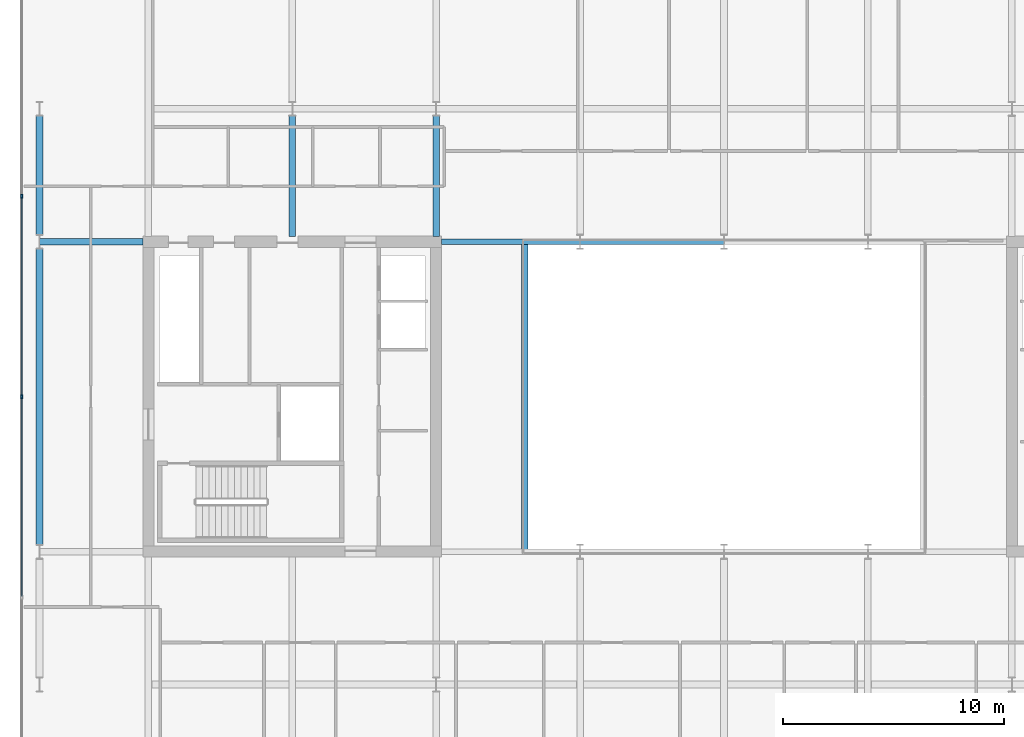
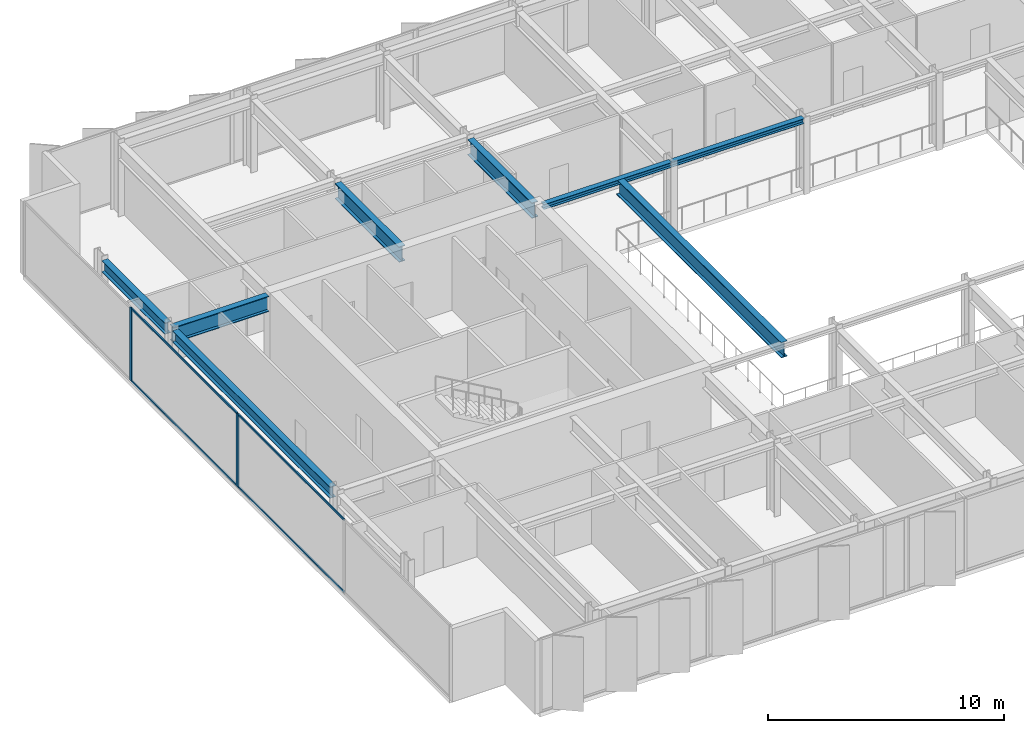
# One storey, part 5 of 20: 8 beams, 6 members, 1 element without a shape of its own.
"""IFC4 building model written with IfcOpenShell, lengths in metres."""

from ifc_helpers import new_model, si_unit, direction, frame, origin, origin_2d, place, context, subcontext, project, spatial, rectangle, i_section, extrude, material, layer, layer_set, material_profile, profile_set, type_object, element, aggregate, save


model = new_model("IFC4")

# Units and contexts
model_context = context("Model", 3, precision=1e-05, world=origin(), true_north=direction((0.0, 1.0)))
body_context = subcontext(model_context, "Body", "Model", "MODEL_VIEW")
ifc_project = project(units=[si_unit("LENGTHUNIT", "METRE"), si_unit("AREAUNIT", "SQUARE_METRE"), si_unit("VOLUMEUNIT", "CUBIC_METRE"), si_unit("PLANEANGLEUNIT", "RADIAN"), si_unit("MASSUNIT", "GRAM", prefix="KILO")], contexts=[model_context])

# Site, building, storey
site_placement = place(None, origin())
site = spatial("IfcSite", under=ifc_project, at=site_placement, CompositionType="ELEMENT")
building_placement = place(site_placement, origin())
building = spatial("IfcBuilding", under=site, at=building_placement, Name="Putna Gate Headquarters", CompositionType="ELEMENT")
storey_placement = place(building_placement, frame((0.0, 0.0, 302.39990234375)))
storey = spatial("IfcBuildingStorey", under=building, at=storey_placement, Name="L76", CompositionType="ELEMENT", Elevation=302.39990234375)

# Beams
ifc_material_1 = material(Name="Steel S355J2", Category="steel")
ifc_material_profile_1 = material_profile(ifc_material_1, i_section(OverallWidth=0.260009765625, OverallDepth=0.260009765625, WebThickness=0.010009765625, FlangeThickness=0.017578125, at=origin_2d()), Name="Steel S355J2")
ifc_profile_set_1 = profile_set([ifc_material_profile_1], Name="Steel S355J2")
beam_type_1 = type_object("IfcBeamType", Name="BM-ATRIUM-HEB260", PredefinedType="BEAM", material=ifc_profile_set_1)
beam_1_placement = place(storey_placement, frame((26.235107421875, 33.0, 3.658203125), z_axis=(1.0, 0.0, 0.0), x_axis=(0.0, 1.0, 0.0)))
element("IfcBeam", 1, at=beam_1_placement, inside=storey, type_object=beam_type_1, Name="L76 Atrium Edge Beam AN1", PredefinedType="BEAM", context=body_context, shape_type="SweptSolid", body=[
    extrude(i_section(OverallWidth=0.260009765625, OverallDepth=0.260009765625, WebThickness=0.010009765625, FlangeThickness=0.017578125, at=origin_2d()), origin(), (0.0, 0.0, 1.0), 6.2587890625),
])
beam_2_placement = place(storey_placement, frame((32.506103515625, 33.0, 3.658203125), z_axis=(1.0, 0.0, 0.0), x_axis=(0.0, 1.0, 0.0)))
element("IfcBeam", 2, at=beam_2_placement, inside=storey, type_object=beam_type_1, Name="L76 Atrium Edge Beam AN2", PredefinedType="BEAM", context=body_context, shape_type="SweptSolid", body=[
    extrude(i_section(OverallWidth=0.260009765625, OverallDepth=0.260009765625, WebThickness=0.010009765625, FlangeThickness=0.017578125, at=origin_2d()), origin(), (0.0, 0.0, 1.0), 6.48779296875),
])
ifc_material_profile_2 = material_profile(ifc_material_1, i_section(OverallWidth=0.300048828125, OverallDepth=0.800048828125, WebThickness=0.017578125, FlangeThickness=0.032958984375, at=origin_2d()), Name="Steel S355J2")
ifc_profile_set_2 = profile_set([ifc_material_profile_2], Name="Steel S355J2")
beam_type_2 = type_object("IfcBeamType", Name="BM-GIRD-P-HEB800", PredefinedType="USERDEFINED", material=ifc_profile_set_2)
beam_3_placement = place(storey_placement, frame((8.0859375, 33.0, 3.38818359375), z_axis=(1.0, 0.0, 0.0), x_axis=(0.0, 1.0, 0.0)))
element("IfcBeam", 3, at=beam_3_placement, inside=storey, type_object=beam_type_2, Name="L76 West Wing Girder Y33", ObjectType="GIRDER", PredefinedType="USERDEFINED", context=body_context, shape_type="SweptSolid", body=[
    extrude(i_section(OverallWidth=0.300048828125, OverallDepth=0.800048828125, WebThickness=0.017578125, FlangeThickness=0.032958984375, at=origin_2d()), origin(), (0.0, 0.0, 1.0), 4.678955078125),
])
for number, where, z_axis, x_axis, name in (
    (4, (19.5, 33.235107421875, 3.38818359375), (0.0, 1.0, 0.0), (-1.0, 0.0, 0.0), "L76 North Primary Girder X19-1"),
    (5, (26.0, 33.235107421875, 3.38818359375), (0.0, 1.0, 0.0), (-1.0, 0.0, 0.0), "L76 North Primary Girder X26-1"),
):
    element("IfcBeam", number, at=place(storey_placement, frame(where, z_axis=z_axis, x_axis=x_axis)), inside=storey, type_object=beam_type_2, Name=name, ObjectType="GIRDER", PredefinedType="USERDEFINED", context=body_context, shape_type="SweptSolid", body=[
        extrude(i_section(OverallWidth=0.300048828125, OverallDepth=0.800048828125, WebThickness=0.017578125, FlangeThickness=0.032958984375, at=origin_2d()), origin(), (0.0, 0.0, 1.0), 5.44287109375),
    ])
beam_4_placement = place(storey_placement, frame((30.0, 19.010009765625, 3.38818359375), z_axis=(0.0, 1.0, 0.0), x_axis=(-1.0, 0.0, 0.0)))
element("IfcBeam", 6, at=beam_4_placement, inside=storey, type_object=beam_type_2, Name="L76 Atrium Trim Girder AW", ObjectType="GIRDER", PredefinedType="USERDEFINED", context=body_context, shape_type="SweptSolid", body=[
    extrude(i_section(OverallWidth=0.300048828125, OverallDepth=0.800048828125, WebThickness=0.017578125, FlangeThickness=0.032958984375, at=origin_2d()), origin(), (0.0, 0.0, 1.0), 13.97998046875),
])
ifc_material_profile_3 = material_profile(ifc_material_1, i_section(OverallWidth=0.300048828125, OverallDepth=0.590087890625, WebThickness=0.012939453125, FlangeThickness=0.02490234375, at=origin_2d()), Name="Steel S355J2")
ifc_profile_set_3 = profile_set([ifc_material_profile_3], Name="Steel S355J2")
beam_type_3 = type_object("IfcBeamType", Name="BM-SPAN-Z4-HEA600", PredefinedType="SPANDREL", material=ifc_profile_set_3)
beam_5_placement = place(storey_placement, frame((8.080078125, 19.322021484375, 3.4931640625), z_axis=(0.0, 1.0, 0.0), x_axis=(-1.0, 0.0, 0.0)))
element("IfcBeam", 7, at=beam_5_placement, inside=storey, type_object=beam_type_3, Name="L76 W End Spandrel 2", PredefinedType="SPANDREL", context=body_context, shape_type="SweptSolid", body=[
    extrude(i_section(OverallWidth=0.300048828125, OverallDepth=0.590087890625, WebThickness=0.012939453125, FlangeThickness=0.02490234375, at=origin_2d()), origin(), (0.0, 0.0, 1.0), 13.35595703125),
])
beam_6_placement = place(storey_placement, frame((8.080078125, 33.322021484375, 3.4931640625), z_axis=(0.0, 1.0, 0.0), x_axis=(-1.0, 0.0, 0.0)))
element("IfcBeam", 8, at=beam_6_placement, inside=storey, type_object=beam_type_3, Name="L76 W End Spandrel 3", PredefinedType="SPANDREL", context=body_context, shape_type="SweptSolid", body=[
    extrude(i_section(OverallWidth=0.300048828125, OverallDepth=0.590087890625, WebThickness=0.012939453125, FlangeThickness=0.02490234375, at=origin_2d()), origin(), (0.0, 0.0, 1.0), 5.35595703125),
])

# Curtain wall, members
ifc_material_2 = material(Name="Anodised bronze aluminium curtain wall", Category="aluminium")
ifc_layer = layer(ifc_material_2, 0.179931640625)
ifc_layer_set = layer_set([ifc_layer], Name="Anodised bronze aluminium curtain wall")
curtain_wall_type = type_object("IfcCurtainWallType", Name="CW-SYS-Z5", PredefinedType="USERDEFINED", material=ifc_layer_set)
curtain_wall_placement = place(storey_placement, origin())
curtain_wall = element("IfcCurtainWall", 9, at=curtain_wall_placement, inside=storey, type_object=curtain_wall_type, Name="L76 West Curtain Wall", ObjectType="STICK CURTAIN WALL", PredefinedType="USERDEFINED")
ifc_material_3 = material(Name="Anodised bronze aluminium EN AW-6060", Category="aluminium")
ifc_material_profile_4 = material_profile(ifc_material_3, rectangle(XDim=0.070068359375, YDim=0.179931640625, at=origin_2d()), Name="Anodised bronze aluminium EN AW-6060")
ifc_profile_set_4 = profile_set([ifc_material_profile_4], Name="Anodised bronze aluminium EN AW-6060")
member_type_1 = type_object("IfcMemberType", Name="MULL-CWM-5", PredefinedType="MULLION", material=ifc_profile_set_4)
member_1_placement = place(storey_placement, frame((7.280029296875, 26.0, 0.0), z_axis=(0.0, 0.0, 1.0), x_axis=(-1.0, 0.0, 0.0)))
member_1 = element("IfcMember", 10, at=member_1_placement, type_object=member_type_1, Name="CWS-5 mullion 3", PredefinedType="MULLION", context=body_context, shape_type="SweptSolid", body=[
    extrude(rectangle(XDim=0.070068359375, YDim=0.179931640625, at=origin_2d()), origin(), (0.0, 0.0, 1.0), 3.7880859375),
])
member_2_placement = place(storey_placement, frame((7.280029296875, 35.050048828125, 0.0), z_axis=(0.0, 0.0, 1.0), x_axis=(-1.0, 0.0, 0.0)))
member_2 = element("IfcMember", 11, at=member_2_placement, type_object=member_type_1, Name="CWS-5 mullion 4", PredefinedType="MULLION", context=body_context, shape_type="SweptSolid", body=[
    extrude(rectangle(XDim=0.070068359375, YDim=0.179931640625, at=origin_2d()), origin(), (0.0, 0.0, 1.0), 3.7880859375),
])
ifc_material_profile_5 = material_profile(ifc_material_3, rectangle(XDim=0.06005859375, YDim=0.10009765625, at=origin_2d()), Name="Anodised bronze aluminium EN AW-6060")
ifc_profile_set_5 = profile_set([ifc_material_profile_5], Name="Anodised bronze aluminium EN AW-6060")
member_type_2 = type_object("IfcMemberType", Name="TRAN-CWT-5", PredefinedType="USERDEFINED", material=ifc_profile_set_5)
member_3_placement = place(storey_placement, frame((7.280029296875, 16.985107421875, 0.030029296875), z_axis=(0.0, 1.0, 0.0), x_axis=(-1.0, 0.0, 0.0)))
member_3 = element("IfcMember", 12, at=member_3_placement, type_object=member_type_2, Name="CWS-5 transom 2.1", ObjectType="TRANSOM", PredefinedType="USERDEFINED", context=body_context, shape_type="SweptSolid", body=[
    extrude(rectangle(XDim=0.06005859375, YDim=0.10009765625, at=origin_2d()), origin(), (0.0, 0.0, 1.0), 8.97998046875),
])
member_4_placement = place(storey_placement, frame((7.280029296875, 16.985107421875, 3.758056640625), z_axis=(0.0, 1.0, 0.0), x_axis=(-1.0, 0.0, 0.0)))
member_4 = element("IfcMember", 13, at=member_4_placement, type_object=member_type_2, Name="CWS-5 transom 2.2", ObjectType="TRANSOM", PredefinedType="USERDEFINED", context=body_context, shape_type="SweptSolid", body=[
    extrude(rectangle(XDim=0.06005859375, YDim=0.10009765625, at=origin_2d()), origin(), (0.0, 0.0, 1.0), 8.97998046875),
])
member_5_placement = place(storey_placement, frame((7.280029296875, 26.034912109375, 0.030029296875), z_axis=(0.0, 1.0, 0.0), x_axis=(-1.0, 0.0, 0.0)))
member_5 = element("IfcMember", 14, at=member_5_placement, type_object=member_type_2, Name="CWS-5 transom 3.1", ObjectType="TRANSOM", PredefinedType="USERDEFINED", context=body_context, shape_type="SweptSolid", body=[
    extrude(rectangle(XDim=0.06005859375, YDim=0.10009765625, at=origin_2d()), origin(), (0.0, 0.0, 1.0), 8.97998046875),
])
member_6_placement = place(storey_placement, frame((7.280029296875, 26.034912109375, 3.758056640625), z_axis=(0.0, 1.0, 0.0), x_axis=(-1.0, 0.0, 0.0)))
member_6 = element("IfcMember", 15, at=member_6_placement, type_object=member_type_2, Name="CWS-5 transom 3.2", ObjectType="TRANSOM", PredefinedType="USERDEFINED", context=body_context, shape_type="SweptSolid", body=[
    extrude(rectangle(XDim=0.06005859375, YDim=0.10009765625, at=origin_2d()), origin(), (0.0, 0.0, 1.0), 8.97998046875),
])
aggregate(curtain_wall, [member_1, member_2, member_3, member_4, member_5, member_6])

save(model, "model.ifc")
